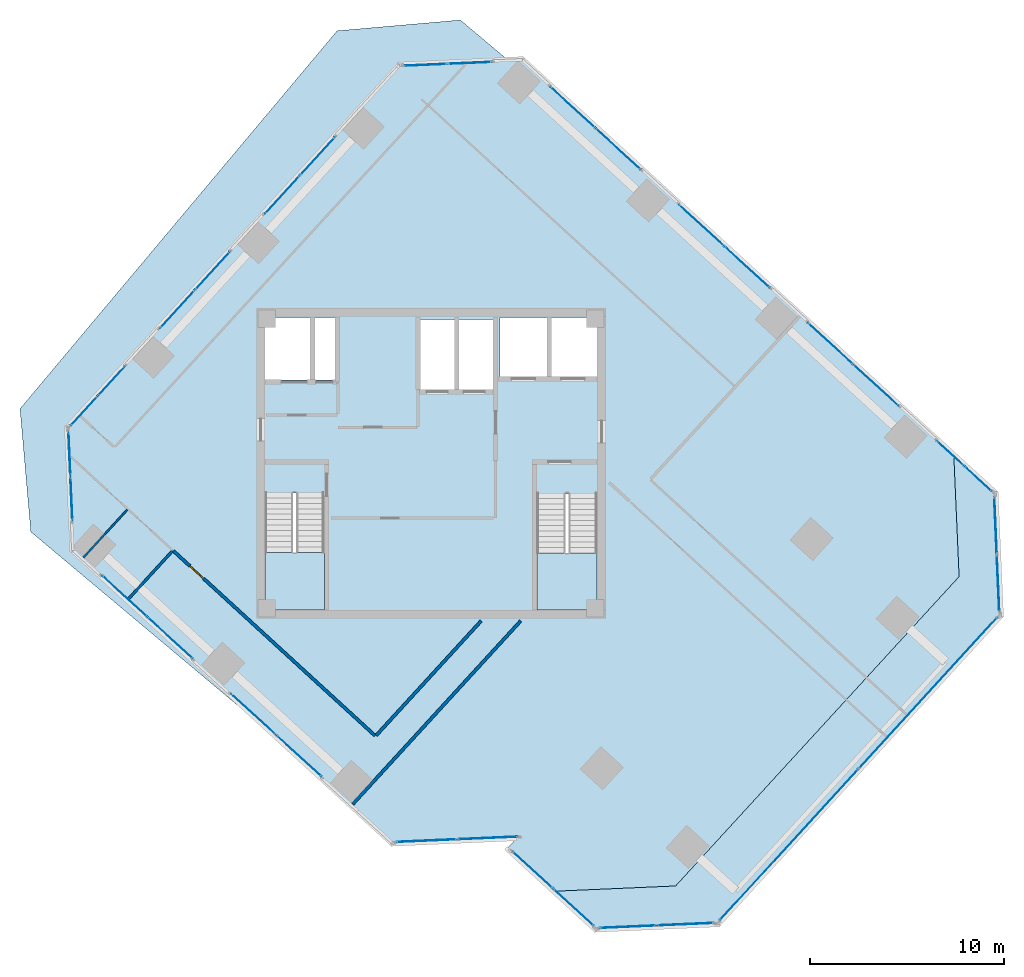
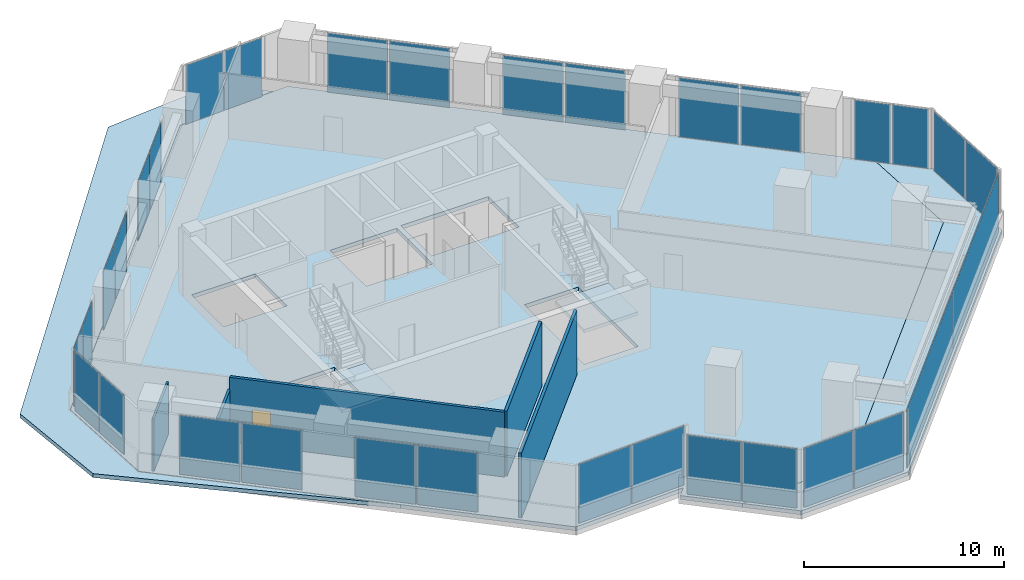
# One storey, part 13 of 19: 32 plates, 5 slabs, 5 walls, 1 door, 1 opening, 18 elements without a shape of their own.
"""IFC4 building model written with IfcOpenShell, lengths in metres."""

from ifc_helpers import new_model, si_unit, direction, frame, frame_2d, origin, origin_2d, place, context, subcontext, project, spatial, polyline, rectangle, outline, extrude, source, transform, mapped, material, layer, layer_set, type_object, element, fill, aggregate, save


model = new_model("IFC4")

# Units and contexts
model_context = context("Model", 3, precision=1e-05, world=origin(), true_north=direction((0.0, 1.0)))
body_context = subcontext(model_context, "Body", "Model", "MODEL_VIEW")
ifc_project = project(units=[si_unit("LENGTHUNIT", "METRE"), si_unit("AREAUNIT", "SQUARE_METRE"), si_unit("VOLUMEUNIT", "CUBIC_METRE"), si_unit("PLANEANGLEUNIT", "RADIAN"), si_unit("MASSUNIT", "GRAM", prefix="KILO")], contexts=[model_context])

# Site, building, storey
site_placement = place(None, origin())
site = spatial("IfcSite", under=ifc_project, at=site_placement, CompositionType="ELEMENT")
building_placement = place(site_placement, origin())
building = spatial("IfcBuilding", under=site, at=building_placement, Name="Torre Montelarca", CompositionType="ELEMENT")
storey_placement = place(building_placement, frame((0.0, 0.0, 229.0)))
storey = spatial("IfcBuildingStorey", under=building, at=storey_placement, Name="L51", CompositionType="ELEMENT", Elevation=229.0)

# Slabs
ifc_material_1 = material(Name="Concrete C40/50", Category="concrete")
ifc_layer_1 = layer(ifc_material_1, 0.239990234375, Name="Concrete C40/50", Category="concrete")
ifc_layer_set_1 = layer_set([ifc_layer_1], Name="Concrete C40/50")
slab_type_1 = type_object("IfcSlabType", Name="SL-FLR-240", PredefinedType="FLOOR", material=ifc_layer_set_1)
slab_1_placement = place(storey_placement, frame((0.0, 0.0, -0.239990234375)))
element("IfcSlab", 1, at=slab_1_placement, inside=storey, type_object=slab_type_1, Name="L51 Structural Floor Slab", PredefinedType="FLOOR", context=body_context, shape_type="SweptSolid", body=[
    extrude(outline(polyline([(15.9873046875, 12.3662109375), (22.34521484375, 12.643798828125), (21.872314453125, 12.127685546875), (24.2314453125, 9.9658203125), (30.58935546875, 10.243408203125), (45.18212890625, 26.16845703125), (44.904541015625, 32.5263671875), (22.71240234375, 52.86181640625), (16.3544921875, 52.583984375), (-0.805419921875, 33.857177734375), (-0.52783203125, 27.499267578125), (15.9873046875, 12.3662109375)]), holes=[polyline([(26.550048828125, 24.449951171875), (23.43994140625, 24.449951171875), (23.43994140625, 30.429931640625), (26.550048828125, 30.429931640625), (26.550048828125, 24.449951171875)]), polyline([(12.5, 24.449951171875), (9.449951171875, 24.449951171875), (9.449951171875, 30.4599609375), (12.5, 30.4599609375), (12.5, 24.449951171875)]), polyline([(21.25, 39.39990234375), (21.25, 35.800048828125), (17.39990234375, 35.800048828125), (17.39990234375, 39.39990234375), (21.25, 39.39990234375)]), polyline([(13.1201171875, 36.300048828125), (9.449951171875, 36.300048828125), (9.449951171875, 39.5), (13.1201171875, 39.5), (13.1201171875, 36.300048828125)]), polyline([(26.60009765625, 36.449951171875), (21.550048828125, 36.449951171875), (21.550048828125, 39.5), (26.60009765625, 39.5), (26.60009765625, 36.449951171875)])]), origin(), (0.0, 0.0, 1.0), 0.239990234375),
])
slab_2_placement = place(storey_placement, frame((0.0, 0.0, -0.239990234375)))
element("IfcSlab", 2, at=slab_2_placement, inside=storey, type_object=slab_type_1, Name="L51 Sliding Tray Winter Garden Floor Slab E1", PredefinedType="FLOOR", context=body_context, shape_type="SweptSolid", body=[
    extrude(outline(polyline([(44.904541015625, 32.5263671875), (45.18212890625, 26.16845703125), (30.58935546875, 10.243408203125), (24.2314453125, 9.9658203125), (26.443359375, 7.93896484375), (32.80126953125, 8.216552734375), (47.39404296875, 24.1416015625), (47.116455078125, 30.49951171875), (44.904541015625, 32.5263671875)])), origin(), (0.0, 0.0, 1.0), 0.239990234375),
])
ifc_material_2 = material(Name="Architectural concrete C40/50", Category="concrete")
ifc_layer_2 = layer(ifc_material_2, 0.239990234375, Name="Architectural concrete C40/50", Category="concrete")
ifc_layer_set_2 = layer_set([ifc_layer_2], Name="Architectural concrete C40/50")
slab_type_2 = type_object("IfcSlabType", Name="SL-ROOF-EXT-240", PredefinedType="ROOF", material=ifc_layer_set_2)
slab_3_placement = place(storey_placement, frame((0.0, 0.0, -0.239990234375)))
element("IfcSlab", 3, at=slab_3_placement, inside=storey, type_object=slab_type_2, Name="L50 Setback and Tray Overhang Roof Cap Slab 01", PredefinedType="ROOF", context=body_context, shape_type="SweptSolid", body=[
    extrude(outline(polyline([(-0.53564453125, 27.49560546875), (-0.8134765625, 33.860107421875), (16.350830078125, 52.591796875), (21.874755859375, 52.8330078125), (19.503173828125, 54.822998046875), (13.16357421875, 54.268310546875), (-3.163330078125, 34.810791015625), (-2.608642578125, 28.47119140625), (9.356201171875, 18.431396484375), (-0.53564453125, 27.49560546875)])), origin(), (0.0, 0.0, 1.0), 0.239990234375),
])

# Stair, slab
stair_type_1 = type_object("IfcStairType", Name="ST-CORE-ST1", PredefinedType="HALF_TURN_STAIR", material=ifc_material_1)
stair_1_placement = place(storey_placement, origin())
stair_1 = element("IfcStair", 4, at=stair_1_placement, inside=storey, type_object=stair_type_1, Name="L51 Protected Exit Stair ST1", PredefinedType="HALF_TURN_STAIR")
ifc_layer_3 = layer(ifc_material_1, 0.199951171875, Name="Concrete C40/50", Category="concrete")
ifc_layer_set_3 = layer_set([ifc_layer_3], Name="Concrete C40/50")
slab_type_3 = type_object("IfcSlabType", Name="SL-ST-LAND-ST1", PredefinedType="LANDING", material=ifc_layer_set_3)
slab_4_placement = place(storey_placement, frame((0.0, 0.0, 1.89990234375)))
slab_4 = element("IfcSlab", 5, at=slab_4_placement, type_object=slab_type_3, Name="ST1 landing 1", PredefinedType="LANDING", context=body_context, shape_type="SweptSolid", body=[
    extrude(outline(polyline([(9.449951171875, 27.419921875), (9.449951171875, 24.449951171875), (12.5, 24.449951171875), (12.5, 27.419921875), (9.449951171875, 27.419921875)])), origin(), (0.0, 0.0, 1.0), 0.2001953125),
])
aggregate(stair_1, [slab_4])

stair_type_2 = type_object("IfcStairType", Name="ST-CORE-ST2", PredefinedType="HALF_TURN_STAIR", material=ifc_material_1)
stair_2_placement = place(storey_placement, origin())
stair_2 = element("IfcStair", 6, at=stair_2_placement, inside=storey, type_object=stair_type_2, Name="L51 Protected Exit Stair ST2", PredefinedType="HALF_TURN_STAIR")
ifc_layer_4 = layer(ifc_material_1, 0.199951171875, Name="Concrete C40/50", Category="concrete")
ifc_layer_set_4 = layer_set([ifc_layer_4], Name="Concrete C40/50")
slab_type_4 = type_object("IfcSlabType", Name="SL-ST-LAND-ST2", PredefinedType="LANDING", material=ifc_layer_set_4)
slab_5_placement = place(storey_placement, frame((0.0, 0.0, 1.89990234375)))
slab_5 = element("IfcSlab", 7, at=slab_5_placement, type_object=slab_type_4, Name="ST2 landing 1", PredefinedType="LANDING", context=body_context, shape_type="SweptSolid", body=[
    extrude(outline(polyline([(23.43994140625, 27.389892578125), (23.43994140625, 24.449951171875), (26.550048828125, 24.449951171875), (26.550048828125, 27.389892578125), (23.43994140625, 27.389892578125)])), origin(), (0.0, 0.0, 1.0), 0.2001953125),
])
aggregate(stair_2, [slab_5])

# Curtain wall, plates
ifc_material_3 = material(Name="Insulated low-E laminated glass", Category="glass")
curtain_wall_type = type_object("IfcCurtainWallType", Name="CW-SYS-Z3", PredefinedType="USERDEFINED", material=ifc_material_3)
curtain_wall_1_placement = place(storey_placement, origin())
curtain_wall_1 = element("IfcCurtainWall", 8, at=curtain_wall_1_placement, inside=storey, type_object=curtain_wall_type, Name="L51 Curtain Wall Run CW-T3-L51-E02-B1", ObjectType="UNITISED GLAZING", PredefinedType="USERDEFINED")
ifc_layer_5 = layer(ifc_material_3, 0.031982421875, Name="Insulated low-E laminated glass", Category="glass")
ifc_layer_set_5 = layer_set([ifc_layer_5], Name="Insulated low-E laminated glass")
plate_type = type_object("IfcPlateType", Name="CWP-GLZ-32", PredefinedType="CURTAIN_PANEL", material=ifc_layer_set_5)
shared_shape_1 = source(origin(), body_context, "Body", "SweptSolid", [
    extrude(rectangle(XDim=3.08740234375, YDim=0.031982421875, at=origin_2d()), origin(), (0.0, 0.0, 1.0), 3.610107421875),
])
plate_1_placement = place(storey_placement, frame((17.764404296875, 12.57373046875, 0.05517578125), z_axis=(0.0, 0.0, 1.0), x_axis=(0.999047974417, 0.043625048009, 0.0)))
plate_1 = element("IfcPlate", 9, at=plate_1_placement, type_object=plate_type, Name="CW panel 1.1", PredefinedType="CURTAIN_PANEL", context=body_context, shape_type="MappedRepresentation", body=[
    mapped(shared_shape_1, transform((0.0, 0.0, 0.0), scale=1.0)),
])
plate_2_placement = place(storey_placement, frame((20.923828125, 12.711669921875, 0.05517578125), z_axis=(0.0, 0.0, 1.0), x_axis=(0.999047974417, 0.043625048009, 0.0)))
plate_2 = element("IfcPlate", 10, at=plate_2_placement, type_object=plate_type, Name="CW panel 2.1", PredefinedType="CURTAIN_PANEL", context=body_context, shape_type="MappedRepresentation", body=[
    mapped(shared_shape_1, transform((0.0, 0.0, 0.0), scale=1.0)),
])
aggregate(curtain_wall_1, [plate_1, plate_2])

curtain_wall_2_placement = place(storey_placement, origin())
curtain_wall_2 = element("IfcCurtainWall", 11, at=curtain_wall_2_placement, inside=storey, type_object=curtain_wall_type, Name="L51 Curtain Wall Run CW-T3-L51-E05-B1", ObjectType="UNITISED GLAZING", PredefinedType="USERDEFINED")
shared_shape_2 = source(origin(), body_context, "Body", "SweptSolid", [
    extrude(rectangle(XDim=2.903564453125, YDim=0.031982421875, at=origin_2d()), origin(), (0.0, 0.0, 1.0), 3.610107421875),
])
plate_3_placement = place(storey_placement, frame((28.128662109375, 8.142578125, 0.05517578125), z_axis=(0.0, 0.0, 1.0), x_axis=(0.999048385364, 0.043615635968, 0.0)))
plate_3 = element("IfcPlate", 12, at=plate_3_placement, type_object=plate_type, Name="CW panel 1.1", PredefinedType="CURTAIN_PANEL", context=body_context, shape_type="MappedRepresentation", body=[
    mapped(shared_shape_2, transform((0.0, 0.0, 0.0), scale=1.0)),
])
plate_4_placement = place(storey_placement, frame((31.1044921875, 8.272705078125, 0.05517578125), z_axis=(0.0, 0.0, 1.0), x_axis=(0.999048385364, 0.043615635968, 0.0)))
plate_4 = element("IfcPlate", 13, at=plate_4_placement, type_object=plate_type, Name="CW panel 2.1", PredefinedType="CURTAIN_PANEL", context=body_context, shape_type="MappedRepresentation", body=[
    mapped(shared_shape_2, transform((0.0, 0.0, 0.0), scale=1.0)),
])
aggregate(curtain_wall_2, [plate_3, plate_4])

curtain_wall_3_placement = place(storey_placement, origin())
curtain_wall_3 = element("IfcCurtainWall", 14, at=curtain_wall_3_placement, inside=storey, type_object=curtain_wall_type, Name="L51 Curtain Wall Run CW-T3-L51-E07-B1", ObjectType="UNITISED GLAZING", PredefinedType="USERDEFINED")
plate_5_placement = place(storey_placement, frame((47.190185546875, 25.8271484375, 0.05517578125), z_axis=(0.0, 0.0, 1.0), x_axis=(-0.043615635968, 0.999048385364, 0.0)))
plate_5 = element("IfcPlate", 15, at=plate_5_placement, type_object=plate_type, Name="CW panel 1.1", PredefinedType="CURTAIN_PANEL", context=body_context, shape_type="MappedRepresentation", body=[
    mapped(shared_shape_2, transform((0.0, 0.0, 0.0), scale=1.0)),
])
plate_6_placement = place(storey_placement, frame((47.060302734375, 28.802734375, 0.05517578125), z_axis=(0.0, 0.0, 1.0), x_axis=(-0.043615635968, 0.999048385364, 0.0)))
plate_6 = element("IfcPlate", 16, at=plate_6_placement, type_object=plate_type, Name="CW panel 2.1", PredefinedType="CURTAIN_PANEL", context=body_context, shape_type="MappedRepresentation", body=[
    mapped(shared_shape_2, transform((0.0, 0.0, 0.0), scale=1.0)),
])
aggregate(curtain_wall_3, [plate_5, plate_6])

curtain_wall_4_placement = place(storey_placement, origin())
curtain_wall_4 = element("IfcCurtainWall", 17, at=curtain_wall_4_placement, inside=storey, type_object=curtain_wall_type, Name="L51 Curtain Wall Run CW-T3-L51-E01-B1", ObjectType="UNITISED GLAZING", PredefinedType="USERDEFINED")
shared_shape_3 = source(origin(), body_context, "Body", "SweptSolid", [
    extrude(rectangle(XDim=3.107421875, YDim=0.031982421875, at=origin_2d()), origin(), (0.0, 0.0, 1.0), 3.610107421875),
])
plate_7_placement = place(storey_placement, frame((2.220703125, 25.1572265625, 0.05517578125), z_axis=(0.0, 0.0, 1.0), x_axis=(0.737279815472, -0.675587502621, 0.0)))
plate_7 = element("IfcPlate", 18, at=plate_7_placement, type_object=plate_type, Name="CW panel 1.1", PredefinedType="CURTAIN_PANEL", context=body_context, shape_type="MappedRepresentation", body=[
    mapped(shared_shape_3, transform((0.0, 0.0, 0.0), scale=1.0)),
])
plate_8_placement = place(storey_placement, frame((4.567138671875, 23.007080078125, 0.05517578125), z_axis=(0.0, 0.0, 1.0), x_axis=(0.737279815472, -0.675587502621, 0.0)))
plate_8 = element("IfcPlate", 19, at=plate_8_placement, type_object=plate_type, Name="CW panel 2.1", PredefinedType="CURTAIN_PANEL", context=body_context, shape_type="MappedRepresentation", body=[
    mapped(shared_shape_3, transform((0.0, 0.0, 0.0), scale=1.0)),
])
aggregate(curtain_wall_4, [plate_7, plate_8])

curtain_wall_5_placement = place(storey_placement, origin())
curtain_wall_5 = element("IfcCurtainWall", 20, at=curtain_wall_5_placement, inside=storey, type_object=curtain_wall_type, Name="L51 Curtain Wall Run CW-T3-L51-E01-B2", ObjectType="UNITISED GLAZING", PredefinedType="USERDEFINED")
plate_9_placement = place(storey_placement, frame((8.856201171875, 19.076904296875, 0.05517578125), z_axis=(0.0, 0.0, 1.0), x_axis=(0.737279815472, -0.675587502621, 0.0)))
plate_9 = element("IfcPlate", 21, at=plate_9_placement, type_object=plate_type, Name="CW panel 1.1", PredefinedType="CURTAIN_PANEL", context=body_context, shape_type="MappedRepresentation", body=[
    mapped(shared_shape_3, transform((0.0, 0.0, 0.0), scale=1.0)),
])
plate_10_placement = place(storey_placement, frame((11.20263671875, 16.9267578125, 0.05517578125), z_axis=(0.0, 0.0, 1.0), x_axis=(0.737279815472, -0.675587502621, 0.0)))
plate_10 = element("IfcPlate", 22, at=plate_10_placement, type_object=plate_type, Name="CW panel 2.1", PredefinedType="CURTAIN_PANEL", context=body_context, shape_type="MappedRepresentation", body=[
    mapped(shared_shape_3, transform((0.0, 0.0, 0.0), scale=1.0)),
])
aggregate(curtain_wall_5, [plate_9, plate_10])

curtain_wall_6_placement = place(storey_placement, origin())
curtain_wall_6 = element("IfcCurtainWall", 23, at=curtain_wall_6_placement, inside=storey, type_object=curtain_wall_type, Name="L51 Curtain Wall Run CW-T3-L51-E08-B2", ObjectType="UNITISED GLAZING", PredefinedType="USERDEFINED")
plate_11_placement = place(storey_placement, frame((40.902587890625, 36.01708984375, 0.05517578125), z_axis=(0.0, 0.0, 1.0), x_axis=(-0.737272728138, 0.675595237064, 0.0)))
plate_11 = element("IfcPlate", 24, at=plate_11_placement, type_object=plate_type, Name="CW panel 1.1", PredefinedType="CURTAIN_PANEL", context=body_context, shape_type="MappedRepresentation", body=[
    mapped(shared_shape_3, transform((0.0, 0.0, 0.0), scale=1.0)),
])
plate_12_placement = place(storey_placement, frame((38.556396484375, 38.167236328125, 0.05517578125), z_axis=(0.0, 0.0, 1.0), x_axis=(-0.737272728138, 0.675595237064, 0.0)))
plate_12 = element("IfcPlate", 25, at=plate_12_placement, type_object=plate_type, Name="CW panel 2.1", PredefinedType="CURTAIN_PANEL", context=body_context, shape_type="MappedRepresentation", body=[
    mapped(shared_shape_3, transform((0.0, 0.0, 0.0), scale=1.0)),
])
aggregate(curtain_wall_6, [plate_11, plate_12])

curtain_wall_7_placement = place(storey_placement, origin())
curtain_wall_7 = element("IfcCurtainWall", 26, at=curtain_wall_7_placement, inside=storey, type_object=curtain_wall_type, Name="L51 Curtain Wall Run CW-T3-L51-E08-B3", ObjectType="UNITISED GLAZING", PredefinedType="USERDEFINED")
plate_13_placement = place(storey_placement, frame((34.26708984375, 42.097412109375, 0.05517578125), z_axis=(0.0, 0.0, 1.0), x_axis=(-0.737272728138, 0.675595237064, 0.0)))
plate_13 = element("IfcPlate", 27, at=plate_13_placement, type_object=plate_type, Name="CW panel 1.1", PredefinedType="CURTAIN_PANEL", context=body_context, shape_type="MappedRepresentation", body=[
    mapped(shared_shape_3, transform((0.0, 0.0, 0.0), scale=1.0)),
])
plate_14_placement = place(storey_placement, frame((31.9208984375, 44.24755859375, 0.05517578125), z_axis=(0.0, 0.0, 1.0), x_axis=(-0.737272728138, 0.675595237064, 0.0)))
plate_14 = element("IfcPlate", 28, at=plate_14_placement, type_object=plate_type, Name="CW panel 2.1", PredefinedType="CURTAIN_PANEL", context=body_context, shape_type="MappedRepresentation", body=[
    mapped(shared_shape_3, transform((0.0, 0.0, 0.0), scale=1.0)),
])
aggregate(curtain_wall_7, [plate_13, plate_14])

curtain_wall_8_placement = place(storey_placement, origin())
curtain_wall_8 = element("IfcCurtainWall", 29, at=curtain_wall_8_placement, inside=storey, type_object=curtain_wall_type, Name="L51 Curtain Wall Run CW-T3-L51-E08-B4", ObjectType="UNITISED GLAZING", PredefinedType="USERDEFINED")
plate_15_placement = place(storey_placement, frame((27.6318359375, 48.177734375, 0.05517578125), z_axis=(0.0, 0.0, 1.0), x_axis=(-0.737279815472, 0.675587502621, 0.0)))
plate_15 = element("IfcPlate", 30, at=plate_15_placement, type_object=plate_type, Name="CW panel 1.1", PredefinedType="CURTAIN_PANEL", context=body_context, shape_type="MappedRepresentation", body=[
    mapped(shared_shape_3, transform((0.0, 0.0, 0.0), scale=1.0)),
])
plate_16_placement = place(storey_placement, frame((25.285400390625, 50.327880859375, 0.05517578125), z_axis=(0.0, 0.0, 1.0), x_axis=(-0.737279815472, 0.675587502621, 0.0)))
plate_16 = element("IfcPlate", 31, at=plate_16_placement, type_object=plate_type, Name="CW panel 2.1", PredefinedType="CURTAIN_PANEL", context=body_context, shape_type="MappedRepresentation", body=[
    mapped(shared_shape_3, transform((0.0, 0.0, 0.0), scale=1.0)),
])
aggregate(curtain_wall_8, [plate_15, plate_16])

curtain_wall_9_placement = place(storey_placement, origin())
curtain_wall_9 = element("IfcCurtainWall", 32, at=curtain_wall_9_placement, inside=storey, type_object=curtain_wall_type, Name="L51 Curtain Wall Run CW-T3-L51-E04-B1", ObjectType="UNITISED GLAZING", PredefinedType="USERDEFINED")
shared_shape_4 = source(origin(), body_context, "Body", "SweptSolid", [
    extrude(rectangle(XDim=2.783447265625, YDim=0.031982421875, at=origin_2d()), origin(), (0.0, 0.0, 1.0), 3.610107421875),
])
plate_17_placement = place(storey_placement, frame((23.219970703125, 11.069091796875, 0.05517578125), z_axis=(0.0, 0.0, 1.0), x_axis=(0.737293871704, -0.675572162502, 0.0)))
plate_17 = element("IfcPlate", 33, at=plate_17_placement, type_object=plate_type, Name="CW panel 1.1", PredefinedType="CURTAIN_PANEL", context=body_context, shape_type="MappedRepresentation", body=[
    mapped(shared_shape_4, transform((0.0, 0.0, 0.0), scale=1.0)),
])
plate_18_placement = place(storey_placement, frame((25.327392578125, 9.1376953125, 0.05517578125), z_axis=(0.0, 0.0, 1.0), x_axis=(0.737293871704, -0.675572162502, 0.0)))
plate_18 = element("IfcPlate", 34, at=plate_18_placement, type_object=plate_type, Name="CW panel 2.1", PredefinedType="CURTAIN_PANEL", context=body_context, shape_type="MappedRepresentation", body=[
    mapped(shared_shape_4, transform((0.0, 0.0, 0.0), scale=1.0)),
])
aggregate(curtain_wall_9, [plate_17, plate_18])

curtain_wall_10_placement = place(storey_placement, origin())
curtain_wall_10 = element("IfcCurtainWall", 35, at=curtain_wall_10_placement, inside=storey, type_object=curtain_wall_type, Name="L51 Curtain Wall Run CW-T3-L51-E06-B1", ObjectType="UNITISED GLAZING", PredefinedType="USERDEFINED")
shared_shape_5 = source(origin(), body_context, "Body", "SweptSolid", [
    extrude(rectangle(XDim=10.521728515625, YDim=0.031982421875, at=origin_2d()), origin(), (0.0, 0.0, 1.0), 3.610107421875),
])
plate_19_placement = place(storey_placement, frame((36.42236328125, 12.360595703125, 0.05517578125), z_axis=(0.0, 0.0, 1.0), x_axis=(0.675589843659, 0.737277670314, 0.0)))
plate_19 = element("IfcPlate", 36, at=plate_19_placement, type_object=plate_type, Name="CW panel 1.1", PredefinedType="CURTAIN_PANEL", context=body_context, shape_type="MappedRepresentation", body=[
    mapped(shared_shape_5, transform((0.0, 0.0, 0.0), scale=1.0)),
])
plate_20_placement = place(storey_placement, frame((43.581298828125, 20.17333984375, 0.05517578125), z_axis=(0.0, 0.0, 1.0), x_axis=(0.675589843659, 0.737277670314, 0.0)))
plate_20 = element("IfcPlate", 37, at=plate_20_placement, type_object=plate_type, Name="CW panel 2.1", PredefinedType="CURTAIN_PANEL", context=body_context, shape_type="MappedRepresentation", body=[
    mapped(shared_shape_5, transform((0.0, 0.0, 0.0), scale=1.0)),
])
aggregate(curtain_wall_10, [plate_19, plate_20])

curtain_wall_11_placement = place(storey_placement, origin())
curtain_wall_11 = element("IfcCurtainWall", 38, at=curtain_wall_11_placement, inside=storey, type_object=curtain_wall_type, Name="L51 Curtain Wall Run CW-T3-L51-E08-B1", ObjectType="UNITISED GLAZING", PredefinedType="USERDEFINED")
shared_shape_6 = source(origin(), body_context, "Body", "SweptSolid", [
    extrude(rectangle(XDim=1.864501953125, YDim=0.031982421875, at=origin_2d()), origin(), (0.0, 0.0, 1.0), 3.610107421875),
])
plate_21_placement = place(storey_placement, frame((46.163818359375, 31.1962890625, 0.05517578125), z_axis=(0.0, 0.0, 1.0), x_axis=(-0.73728639427, 0.675580323, 0.0)))
plate_21 = element("IfcPlate", 39, at=plate_21_placement, type_object=plate_type, Name="CW panel 1.1", PredefinedType="CURTAIN_PANEL", context=body_context, shape_type="MappedRepresentation", body=[
    mapped(shared_shape_6, transform((0.0, 0.0, 0.0), scale=1.0)),
])
plate_22_placement = place(storey_placement, frame((44.733642578125, 32.506591796875, 0.05517578125), z_axis=(0.0, 0.0, 1.0), x_axis=(-0.73728639427, 0.675580323, 0.0)))
plate_22 = element("IfcPlate", 40, at=plate_22_placement, type_object=plate_type, Name="CW panel 2.1", PredefinedType="CURTAIN_PANEL", context=body_context, shape_type="MappedRepresentation", body=[
    mapped(shared_shape_6, transform((0.0, 0.0, 0.0), scale=1.0)),
])
aggregate(curtain_wall_11, [plate_21, plate_22])

curtain_wall_12_placement = place(storey_placement, origin())
curtain_wall_12 = element("IfcCurtainWall", 41, at=curtain_wall_12_placement, inside=storey, type_object=curtain_wall_type, Name="L51 Curtain Wall Run CW-T3-L51-E09-B1", ObjectType="UNITISED GLAZING", PredefinedType="USERDEFINED")
shared_shape_7 = source(origin(), body_context, "Body", "SweptSolid", [
    extrude(rectangle(XDim=2.22265625, YDim=0.031982421875, at=origin_2d()), origin(), (0.0, 0.0, 1.0), 3.610107421875),
])
plate_23_placement = place(storey_placement, frame((20.0068359375, 52.613525390625, 0.05517578125), z_axis=(0.0, 0.0, 1.0), x_axis=(-0.999048467195, -0.043613761542, 0.0)))
plate_23 = element("IfcPlate", 42, at=plate_23_placement, type_object=plate_type, Name="CW panel 1.1", PredefinedType="CURTAIN_PANEL", context=body_context, shape_type="MappedRepresentation", body=[
    mapped(shared_shape_7, transform((0.0, 0.0, 0.0), scale=1.0)),
])
plate_24_placement = place(storey_placement, frame((17.711181640625, 52.51318359375, 0.05517578125), z_axis=(0.0, 0.0, 1.0), x_axis=(-0.999048467195, -0.043613761542, 0.0)))
plate_24 = element("IfcPlate", 43, at=plate_24_placement, type_object=plate_type, Name="CW panel 2.1", PredefinedType="CURTAIN_PANEL", context=body_context, shape_type="MappedRepresentation", body=[
    mapped(shared_shape_7, transform((0.0, 0.0, 0.0), scale=1.0)),
])
aggregate(curtain_wall_12, [plate_23, plate_24])

curtain_wall_13_placement = place(storey_placement, origin())
curtain_wall_13 = element("IfcCurtainWall", 44, at=curtain_wall_13_placement, inside=storey, type_object=curtain_wall_type, Name="L51 Curtain Wall Run CW-T3-L51-E10-B1", ObjectType="UNITISED GLAZING", PredefinedType="USERDEFINED")
shared_shape_8 = source(origin(), body_context, "Body", "SweptSolid", [
    extrude(rectangle(XDim=2.607421875, YDim=0.031982421875, at=origin_2d()), origin(), (0.0, 0.0, 1.0), 3.610107421875),
])
plate_25_placement = place(storey_placement, frame((12.154541015625, 47.80810546875, 0.05517578125), z_axis=(0.0, 0.0, 1.0), x_axis=(-0.675597258238, -0.737270876043, 0.0)))
plate_25 = element("IfcPlate", 45, at=plate_25_placement, type_object=plate_type, Name="CW panel 1.1", PredefinedType="CURTAIN_PANEL", context=body_context, shape_type="MappedRepresentation", body=[
    mapped(shared_shape_8, transform((0.0, 0.0, 0.0), scale=1.0)),
])
plate_26_placement = place(storey_placement, frame((10.34228515625, 45.830322265625, 0.05517578125), z_axis=(0.0, 0.0, 1.0), x_axis=(-0.675597258238, -0.737270876043, 0.0)))
plate_26 = element("IfcPlate", 46, at=plate_26_placement, type_object=plate_type, Name="CW panel 2.1", PredefinedType="CURTAIN_PANEL", context=body_context, shape_type="MappedRepresentation", body=[
    mapped(shared_shape_8, transform((0.0, 0.0, 0.0), scale=1.0)),
])
aggregate(curtain_wall_13, [plate_25, plate_26])

curtain_wall_14_placement = place(storey_placement, origin())
curtain_wall_14 = element("IfcCurtainWall", 47, at=curtain_wall_14_placement, inside=storey, type_object=curtain_wall_type, Name="L51 Curtain Wall Run CW-T3-L51-E10-B2", ObjectType="UNITISED GLAZING", PredefinedType="USERDEFINED")
plate_27_placement = place(storey_placement, frame((6.749755859375, 41.909912109375, 0.05517578125), z_axis=(0.0, 0.0, 1.0), x_axis=(-0.675588101971, -0.737279266272, 0.0)))
plate_27 = element("IfcPlate", 48, at=plate_27_placement, type_object=plate_type, Name="CW panel 1.1", PredefinedType="CURTAIN_PANEL", context=body_context, shape_type="MappedRepresentation", body=[
    mapped(shared_shape_8, transform((0.0, 0.0, 0.0), scale=1.0)),
])
plate_28_placement = place(storey_placement, frame((4.9375, 39.93212890625, 0.05517578125), z_axis=(0.0, 0.0, 1.0), x_axis=(-0.675588101971, -0.737279266272, 0.0)))
plate_28 = element("IfcPlate", 49, at=plate_28_placement, type_object=plate_type, Name="CW panel 2.1", PredefinedType="CURTAIN_PANEL", context=body_context, shape_type="MappedRepresentation", body=[
    mapped(shared_shape_8, transform((0.0, 0.0, 0.0), scale=1.0)),
])
aggregate(curtain_wall_14, [plate_27, plate_28])

curtain_wall_15_placement = place(storey_placement, origin())
curtain_wall_15 = element("IfcCurtainWall", 50, at=curtain_wall_15_placement, inside=storey, type_object=curtain_wall_type, Name="L51 Curtain Wall Run CW-T3-L51-E10-B3", ObjectType="UNITISED GLAZING", PredefinedType="USERDEFINED")
shared_shape_9 = source(origin(), body_context, "Body", "SweptSolid", [
    extrude(rectangle(XDim=2.0146484375, YDim=0.031982421875, at=origin_2d()), origin(), (0.0, 0.0, 1.0), 3.610107421875),
])
plate_29_placement = place(storey_placement, frame((1.54541015625, 36.230224609375, 0.05517578125), z_axis=(0.0, 0.0, 1.0), x_axis=(-0.675581984074, -0.737284872213, 0.0)))
plate_29 = element("IfcPlate", 51, at=plate_29_placement, type_object=plate_type, Name="CW panel 1.1", PredefinedType="CURTAIN_PANEL", context=body_context, shape_type="MappedRepresentation", body=[
    mapped(shared_shape_9, transform((0.0, 0.0, 0.0), scale=1.0)),
])
plate_30_placement = place(storey_placement, frame((0.1337890625, 34.689453125, 0.05517578125), z_axis=(0.0, 0.0, 1.0), x_axis=(-0.675581984074, -0.737284872213, 0.0)))
plate_30 = element("IfcPlate", 52, at=plate_30_placement, type_object=plate_type, Name="CW panel 2.1", PredefinedType="CURTAIN_PANEL", context=body_context, shape_type="MappedRepresentation", body=[
    mapped(shared_shape_9, transform((0.0, 0.0, 0.0), scale=1.0)),
])
aggregate(curtain_wall_15, [plate_29, plate_30])

curtain_wall_16_placement = place(storey_placement, origin())
curtain_wall_16 = element("IfcCurtainWall", 53, at=curtain_wall_16_placement, inside=storey, type_object=curtain_wall_type, Name="L51 Curtain Wall Run CW-T3-L51-E11-B1", ObjectType="UNITISED GLAZING", PredefinedType="USERDEFINED")
shared_shape_10 = source(origin(), body_context, "Body", "SweptSolid", [
    extrude(rectangle(XDim=2.240478515625, YDim=0.031982421875, at=origin_2d()), origin(), (0.0, 0.0, 1.0), 3.610107421875),
])
plate_31_placement = place(storey_placement, frame((-0.6162109375, 32.503173828125, 0.05517578125), z_axis=(0.0, 0.0, 1.0), x_axis=(0.043625342235, -0.999047961569, 0.0)))
plate_31 = element("IfcPlate", 54, at=plate_31_placement, type_object=plate_type, Name="CW panel 1.1", PredefinedType="CURTAIN_PANEL", context=body_context, shape_type="MappedRepresentation", body=[
    mapped(shared_shape_10, transform((0.0, 0.0, 0.0), scale=1.0)),
])
plate_32_placement = place(storey_placement, frame((-0.51513671875, 30.189697265625, 0.05517578125), z_axis=(0.0, 0.0, 1.0), x_axis=(0.043625342235, -0.999047961569, 0.0)))
plate_32 = element("IfcPlate", 55, at=plate_32_placement, type_object=plate_type, Name="CW panel 2.1", PredefinedType="CURTAIN_PANEL", context=body_context, shape_type="MappedRepresentation", body=[
    mapped(shared_shape_10, transform((0.0, 0.0, 0.0), scale=1.0)),
])
aggregate(curtain_wall_16, [plate_31, plate_32])

# Wall, opening, door
ifc_material_4 = material(Name="Gypsum plasterboard on steel stud", Category="steel")
ifc_layer_6 = layer(ifc_material_4, 0.159912109375, Name="Gypsum plasterboard on steel stud", Category="steel")
ifc_layer_set_6 = layer_set([ifc_layer_6], Name="Gypsum plasterboard on steel stud")
wall_type_1 = type_object("IfcWallType", Name="PW-FIRE-160", PredefinedType="PARTITIONING", material=ifc_layer_set_6)
wall_1_placement = place(storey_placement, frame((4.738525390625, 27.48876953125, 0.0), z_axis=(0.0, 0.0, 1.0), x_axis=(0.737276572642, -0.675591041558, 0.0)))
wall_1 = element("IfcWall", 56, at=wall_1_placement, inside=storey, type_object=wall_type_1, Name="L51 Interior Partition W-L51-SOCCN", PredefinedType="PARTITIONING", context=body_context, shape_type="SweptSolid", body=[
    extrude(rectangle(XDim=14.070068359375, YDim=0.159912109375, at=frame_2d((7.03515625, 0.0))), origin(), (0.0, 0.0, 1.0), 3.9599609375),
])
opening_placement = place(wall_1_placement, frame((1.14990234375, 0.0, 0.0)))
opening = element("IfcOpeningElement", 57, at=opening_placement, cuts=wall_1, Name="Opening FD-095", PredefinedType="OPENING", context=body_context, shape_type="SweptSolid", body=[
    extrude(rectangle(XDim=0.949951171875, YDim=2.14990234375, at=frame_2d((0.47509765625, 1.074951171875))), frame((0.0, 0.08984375, 0.0), z_axis=(0.0, -1.0, 0.0), x_axis=(1.0, 0.0, 0.0)), (0.0, 0.0, 1.0), 0.179931640625),
])
ifc_material_5 = material(Name="Timber fire-rated room door", Category="wood")
door_type = type_object("IfcDoorType", Name="DR-FIRE-095", OperationType="NOTDEFINED", PredefinedType="DOOR", material=ifc_material_5)
shared_shape_11 = source(origin(), body_context, "Body", "SweptSolid", [
    extrude(rectangle(XDim=0.949951171875, YDim=2.14990234375, at=frame_2d((0.47509765625, 1.074951171875))), frame((0.0, 0.02490234375, 0.0), z_axis=(0.0, -1.0, 0.0), x_axis=(1.0, 0.0, 0.0)), (0.0, 0.0, 1.0), 0.050048828125),
])
door_placement = place(opening_placement, origin())
door = element("IfcDoor", 58, at=door_placement, inside=storey, type_object=door_type, Name="L51 Interior Door 06", OperationType="SINGLE_SWING_RIGHT", OverallHeight=2.14990234375, OverallWidth=0.949951171875, PredefinedType="DOOR", context=body_context, shape_type="MappedRepresentation", body=[
    mapped(shared_shape_11, transform((0.0, 0.0, 0.0), scale=1.0)),
])
fill(opening, door)

# Walls
wall_2_placement = place(storey_placement, frame((15.16845703125, 17.985595703125, 0.0), z_axis=(0.0, 0.0, 1.0), x_axis=(0.675616954369, 0.737252827034, 0.0)))
element("IfcWall", 59, at=wall_2_placement, inside=storey, type_object=wall_type_1, Name="L51 Interior Partition W-L51-SOCCW3", PredefinedType="PARTITIONING", context=body_context, shape_type="SweptSolid", body=[
    extrude(rectangle(XDim=8.00927734375, YDim=0.159912109375, at=frame_2d((4.004638671875, 0.0))), origin(), (0.0, 0.0, 1.0), 3.9599609375),
])
wall_3_placement = place(storey_placement, frame((13.970703125, 14.4580078125, 0.0), z_axis=(0.0, 0.0, 1.0), x_axis=(0.675595861889, 0.737272155583, 0.0)))
element("IfcWall", 60, at=wall_3_placement, inside=storey, type_object=wall_type_1, Name="L51 Interior Partition W-L51-ECS", PredefinedType="PARTITIONING", context=body_context, shape_type="SweptSolid", body=[
    extrude(rectangle(XDim=12.793701171875, YDim=0.159912109375, at=frame_2d((6.39697265625, 0.0))), origin(), (0.0, 0.0, 1.0), 3.9599609375),
])
ifc_material_6 = material(Name="Acoustic laminated glass partition", Category="glass")
ifc_layer_7 = layer(ifc_material_6, 0.10009765625, Name="Acoustic laminated glass partition", Category="glass")
ifc_layer_set_7 = layer_set([ifc_layer_7], Name="Acoustic laminated glass partition")
wall_type_2 = type_object("IfcWallType", Name="PW-GLAZ-100", PredefinedType="PARTITIONING", material=ifc_layer_set_7)
wall_4_placement = place(storey_placement, frame((0.10986328125, 27.1591796875, 0.0), z_axis=(0.0, 0.0, 1.0), x_axis=(0.675605101048, 0.737263689217, 0.0)))
element("IfcWall", 61, at=wall_4_placement, inside=storey, type_object=wall_type_2, Name="L51 Interior Partition W-L51-WCD", PredefinedType="PARTITIONING", context=body_context, shape_type="SweptSolid", body=[
    extrude(rectangle(XDim=3.330078125, YDim=0.10009765625, at=frame_2d((1.6650390625, 0.0))), origin(), (0.0, 0.0, 1.0), 3.195068359375),
])
ifc_layer_8 = layer(ifc_material_4, 0.135009765625, Name="Gypsum plasterboard on steel stud", Category="steel")
ifc_layer_set_8 = layer_set([ifc_layer_8], Name="Gypsum plasterboard on steel stud")
wall_type_3 = type_object("IfcWallType", Name="PW-PART-135", PredefinedType="PARTITIONING", material=ifc_layer_set_8)
wall_5_placement = place(storey_placement, frame((2.432373046875, 25.031005859375, 0.0), z_axis=(0.0, 0.0, 1.0), x_axis=(0.675605101048, 0.737263689217, 0.0)))
element("IfcWall", 62, at=wall_5_placement, inside=storey, type_object=wall_type_3, Name="L51 Interior Partition W-L51-SWCDIV", PredefinedType="PARTITIONING", context=body_context, shape_type="SweptSolid", body=[
    extrude(rectangle(XDim=3.330078125, YDim=0.135009765625, at=frame_2d((1.6650390625, 0.0))), origin(), (0.0, 0.0, 1.0), 3.195068359375),
])

save(model, "model.ifc")
